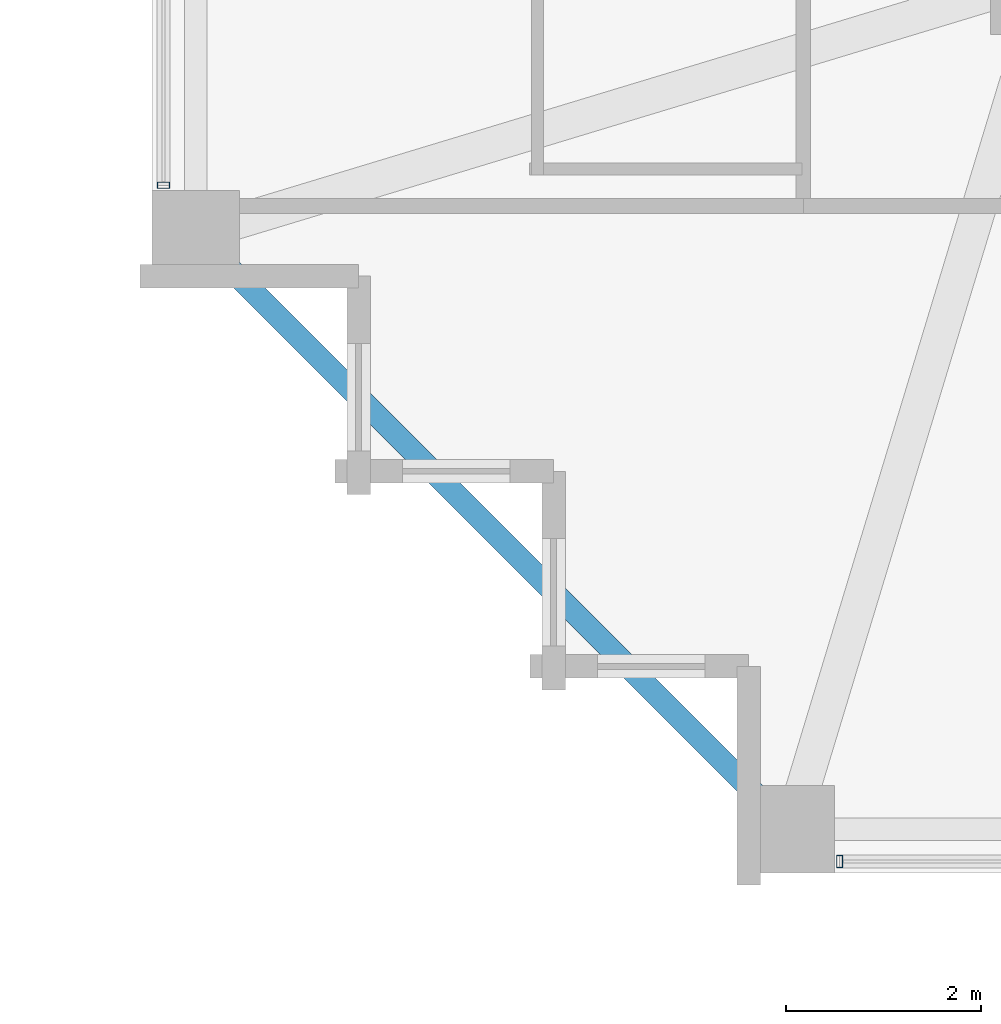
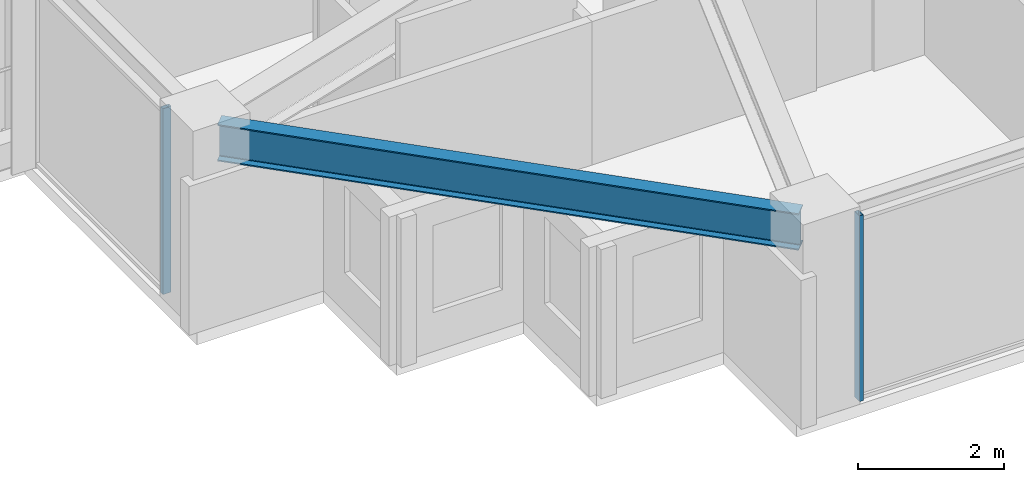
# One storey, part 2 of 37: 2 members, 1 beam, 2 elements without a shape of their own.
"""IFC4 building model written with IfcOpenShell, lengths in metres."""

from ifc_helpers import new_model, si_unit, direction, frame, origin, origin_2d, place, context, subcontext, project, spatial, hollow_rectangle, i_section, extrude, material, material_profile, profile_set, type_object, element, aggregate, save


model = new_model("IFC4")

# Units and contexts
model_context = context("Model", 3, precision=1e-05, world=origin(), true_north=direction((0.0, 1.0)))
body_context = subcontext(model_context, "Body", "Model", "MODEL_VIEW")
ifc_project = project(units=[si_unit("LENGTHUNIT", "METRE"), si_unit("AREAUNIT", "SQUARE_METRE"), si_unit("VOLUMEUNIT", "CUBIC_METRE"), si_unit("PLANEANGLEUNIT", "RADIAN"), si_unit("MASSUNIT", "GRAM", prefix="KILO")], contexts=[model_context])

# Site, building, storey
site_placement = place(None, origin())
site = spatial("IfcSite", under=ifc_project, at=site_placement, CompositionType="ELEMENT")
building_placement = place(site_placement, origin())
building = spatial("IfcBuilding", under=site, at=building_placement, Name="Kolvaren Belvedere", CompositionType="ELEMENT")
storey_placement = place(building_placement, frame((0.0, 0.0, 156.89990234375)))
storey = spatial("IfcBuildingStorey", under=building, at=storey_placement, Name="L45", CompositionType="ELEMENT", Elevation=156.89990234375)

# Beam
ifc_material_1 = material(Name="Structural steel ASTM A992 Grade 50", Category="steel")
ifc_material_profile_1 = material_profile(ifc_material_1, i_section(OverallWidth=0.22900390625, OverallDepth=0.612060546875, WebThickness=0.011962890625, FlangeThickness=0.01953125, FilletRadius=0.01806640625, at=origin_2d()), Name="W24X84")
ifc_profile_set_1 = profile_set([ifc_material_profile_1], Name="Structural steel ASTM A992 Grade 50")
beam_type = type_object("IfcBeamType", Name="BM-SPAN-W24X84", PredefinedType="SPANDREL", material=ifc_profile_set_1)
beam_placement = place(storey_placement, frame((-18.5068359375, -12.693115234375, 2.794189453125), z_axis=(0.707106781187, -0.707106781187, 0.0), x_axis=(0.707106781187, 0.707106781187, 0.0)))
element("IfcBeam", 1, at=beam_placement, inside=storey, type_object=beam_type, Name="L45 Perimeter Spandrel W1-S1", PredefinedType="SPANDREL", context=body_context, shape_type="SweptSolid", body=[
    extrude(i_section(OverallWidth=0.22900390625, OverallDepth=0.612060546875, WebThickness=0.011962890625, FlangeThickness=0.01953125, FilletRadius=0.01806640625, at=origin_2d()), origin(), (0.0, 0.0, 1.0), 8.221923828125),
])

# Curtain wall, member
ifc_material_2 = material(Name="Anodised pale-metal aluminium AA 6063-T6", Category="aluminium")
curtain_wall_type = type_object("IfcCurtainWallType", Name="CW-Z3-WAIST", PredefinedType="NOTDEFINED", material=ifc_material_2)
curtain_wall_1_placement = place(storey_placement, origin())
curtain_wall_1 = element("IfcCurtainWall", 2, at=curtain_wall_1_placement, inside=storey, type_object=curtain_wall_type, Name="L45 Unitised Curtain Wall FCW-L45-S-B3", PredefinedType="NOTDEFINED")
ifc_material_3 = material(Name="Anodised pale-metal aluminium AA 6063-T6", Category="aluminium")
ifc_material_profile_2 = material_profile(ifc_material_3, hollow_rectangle(XDim=0.06494140625, YDim=0.1298828125, WallThickness=0.00390625, at=origin_2d()), Name="ALU-MUL-130X65")
ifc_profile_set_2 = profile_set([ifc_material_profile_2], Name="Anodised pale-metal aluminium AA 6063-T6")
member_type = type_object("IfcMemberType", Name="CW-MUL-130", PredefinedType="MULLION", material=ifc_profile_set_2)
member_1_placement = place(storey_placement, frame((-12.047607421875, -18.97998046875, 0.0), z_axis=(0.0, 0.0, 1.0), x_axis=(1.0, 0.0, 0.0)))
member_1 = element("IfcMember", 3, at=member_1_placement, type_object=member_type, Name="FCW-L45-S-B3 Unitised Mullion 3", PredefinedType="MULLION", context=body_context, shape_type="SweptSolid", body=[
    extrude(hollow_rectangle(XDim=0.06494140625, YDim=0.1298828125, WallThickness=0.00390625, at=origin_2d()), origin(), (0.0, 0.0, 1.0), 3.10009765625),
])
aggregate(curtain_wall_1, [member_1])

curtain_wall_2_placement = place(storey_placement, origin())
curtain_wall_2 = element("IfcCurtainWall", 4, at=curtain_wall_2_placement, inside=storey, type_object=curtain_wall_type, Name="L45 Unitised Curtain Wall FCW-L45-W1-B1", PredefinedType="NOTDEFINED")
member_2_placement = place(storey_placement, frame((-18.97998046875, -12.047607421875, 0.0), z_axis=(0.0, 0.0, 1.0), x_axis=(0.0, 1.0, 0.0)))
member_2 = element("IfcMember", 5, at=member_2_placement, type_object=member_type, Name="FCW-L45-W1-B1 Unitised Mullion 1", PredefinedType="MULLION", context=body_context, shape_type="SweptSolid", body=[
    extrude(hollow_rectangle(XDim=0.06494140625, YDim=0.1298828125, WallThickness=0.00390625, at=origin_2d()), origin(), (0.0, 0.0, 1.0), 3.10009765625),
])
aggregate(curtain_wall_2, [member_2])

save(model, "model.ifc")
